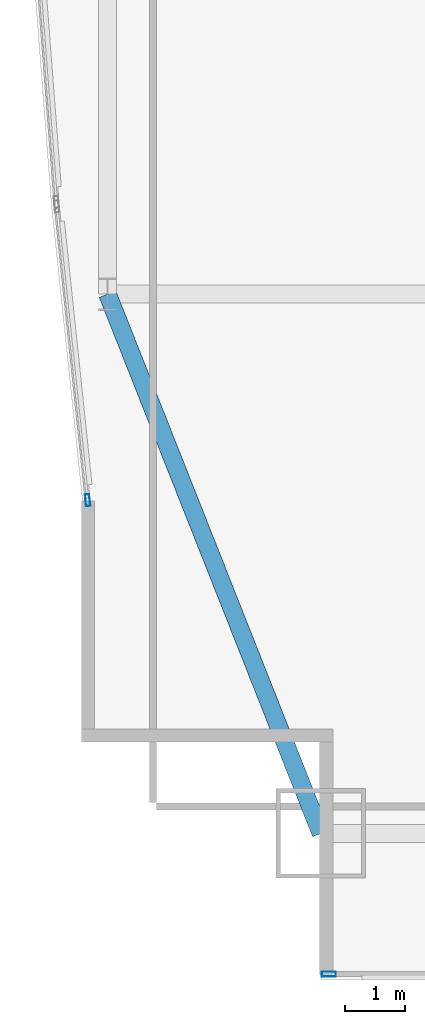
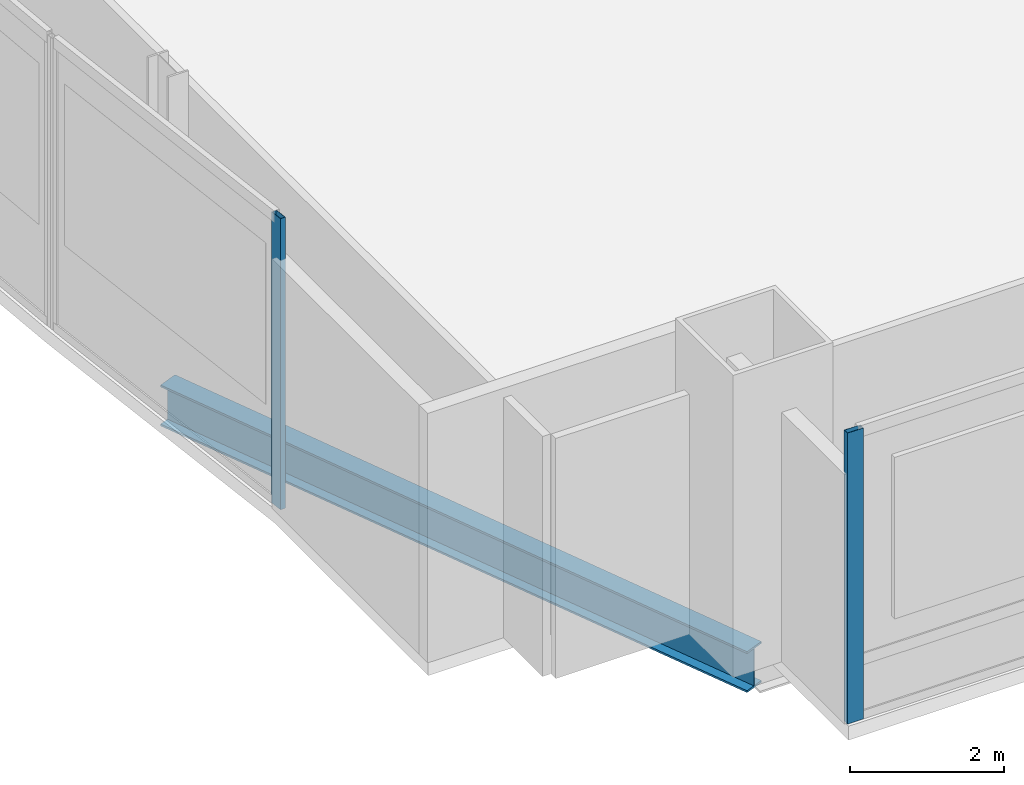
# One storey, part 5 of 32: 2 members, 1 beam, 2 elements without a shape of their own.
"""IFC4 building model written with IfcOpenShell, lengths in metres."""

from ifc_helpers import new_model, si_unit, direction, frame, origin, origin_2d, place, context, subcontext, project, spatial, hollow_rectangle, i_section, extrude, material, material_profile, profile_set, type_object, element, aggregate, save


model = new_model("IFC4")

# Units and contexts
model_context = context("Model", 3, precision=1e-05, world=origin(), true_north=direction((0.0, 1.0)))
body_context = subcontext(model_context, "Body", "Model", "MODEL_VIEW")
ifc_project = project(units=[si_unit("LENGTHUNIT", "METRE"), si_unit("AREAUNIT", "SQUARE_METRE"), si_unit("VOLUMEUNIT", "CUBIC_METRE"), si_unit("PLANEANGLEUNIT", "RADIAN"), si_unit("MASSUNIT", "GRAM", prefix="KILO")], contexts=[model_context])

# Site, building, storey
site_placement = place(None, origin())
site = spatial("IfcSite", under=ifc_project, at=site_placement, CompositionType="ELEMENT")
building_placement = place(site_placement, origin())
building = spatial("IfcBuilding", under=site, at=building_placement, Name="Khoronbel Lancet Exchange", CompositionType="ELEMENT")
storey_placement = place(building_placement, frame((0.0, 0.0, 85.800048828125)))
storey = spatial("IfcBuildingStorey", under=building, at=storey_placement, Name="L20", CompositionType="ELEMENT", Elevation=85.800048828125)

# Beam
ifc_material_1 = material(Name="Steel S355", Category="steel")
ifc_material_profile_1 = material_profile(ifc_material_1, i_section(OverallWidth=0.300048828125, OverallDepth=0.64990234375, WebThickness=0.01611328125, FlangeThickness=0.031005859375, at=origin_2d()), Name="HEB 650")
ifc_profile_set_1 = profile_set([ifc_material_profile_1], Name="Steel S355")
beam_type = type_object("IfcBeamType", Name="BM-BSP1", PredefinedType="SPANDREL", material=ifc_profile_set_1)
beam_placement = place(storey_placement, frame((3.27001953125, 19.199951171875, -0.545166015625), z_axis=(0.367850095026, -0.92988510451, 0.0), x_axis=(0.92988510451, 0.367850095026, 0.0)))
element("IfcBeam", 1, at=beam_placement, inside=storey, type_object=beam_type, Name="Level L20 perimeter spandrel beam SP21", PredefinedType="SPANDREL", context=body_context, shape_type="SweptSolid", body=[
    extrude(i_section(OverallWidth=0.300048828125, OverallDepth=0.64990234375, WebThickness=0.01611328125, FlangeThickness=0.031005859375, at=origin_2d()), origin(), (0.0, 0.0, 1.0), 9.732421875),
])

# Curtain wall, member
ifc_material_2 = material(Name="Low-E Solar Control Insulating Glass", Category="glass")
curtain_wall_type_1 = type_object("IfcCurtainWallType", Name="CW-2", PredefinedType="NOTDEFINED", material=ifc_material_2)
curtain_wall_1_placement = place(storey_placement, origin())
curtain_wall_1 = element("IfcCurtainWall", 2, at=curtain_wall_1_placement, inside=storey, type_object=curtain_wall_type_1, Name="Unitised curtain wall CW-L20-SWV", PredefinedType="NOTDEFINED")
ifc_material_3 = material(Name="Bronze-Anodised Aluminium 6063-T6", Category="aluminium")
ifc_material_profile_2 = material_profile(ifc_material_3, hollow_rectangle(XDim=0.0849609375, YDim=0.239990234375, WallThickness=0.006103515625, at=origin_2d()), Name="ALU MULLION 85x240")
ifc_profile_set_2 = profile_set([ifc_material_profile_2], Name="Bronze-Anodised Aluminium 6063-T6")
member_type_1 = type_object("IfcMemberType", Name="MEM-CWM1", PredefinedType="MULLION", material=ifc_profile_set_2)
member_1_placement = place(storey_placement, frame((6.982421875, 7.7900390625, 0.0), z_axis=(0.0, 0.0, 1.0), x_axis=(0.0, 1.0, 0.0)))
member_1 = element("IfcMember", 3, at=member_1_placement, type_object=member_type_1, Name="CW2 mullion 1", PredefinedType="MULLION", context=body_context, shape_type="SweptSolid", body=[
    extrude(hollow_rectangle(XDim=0.0849609375, YDim=0.239990234375, WallThickness=0.006103515625, at=origin_2d()), origin(), (0.0, 0.0, 1.0), 4.619873046875),
])
aggregate(curtain_wall_1, [member_1])

curtain_wall_type_2 = type_object("IfcCurtainWallType", Name="CW-4", PredefinedType="NOTDEFINED", material=ifc_material_2)
curtain_wall_2_placement = place(storey_placement, origin())
curtain_wall_2 = element("IfcCurtainWall", 4, at=curtain_wall_2_placement, inside=storey, type_object=curtain_wall_type_2, Name="Unitised curtain wall CW-L20-E04", PredefinedType="NOTDEFINED")
ifc_material_profile_3 = material_profile(ifc_material_3, hollow_rectangle(XDim=0.074951171875, YDim=0.199951171875, WallThickness=0.0048828125, at=origin_2d()), Name="ALU MULLION 75x200")
ifc_profile_set_3 = profile_set([ifc_material_profile_3], Name="Bronze-Anodised Aluminium 6063-T6")
member_type_2 = type_object("IfcMemberType", Name="MEM-CWM2", PredefinedType="MULLION", material=ifc_profile_set_3)
member_2_placement = place(storey_placement, frame((2.93603515625, 15.741943359375, 0.0), z_axis=(0.0, 0.0, 1.0), x_axis=(-0.994531779003, -0.104434383958, 0.0)))
member_2 = element("IfcMember", 5, at=member_2_placement, type_object=member_type_2, Name="CW4 mullion 1", PredefinedType="MULLION", context=body_context, shape_type="SweptSolid", body=[
    extrude(hollow_rectangle(XDim=0.074951171875, YDim=0.199951171875, WallThickness=0.0048828125, at=origin_2d()), origin(), (0.0, 0.0, 1.0), 4.619873046875),
])
aggregate(curtain_wall_2, [member_2])

save(model, "model.ifc")
